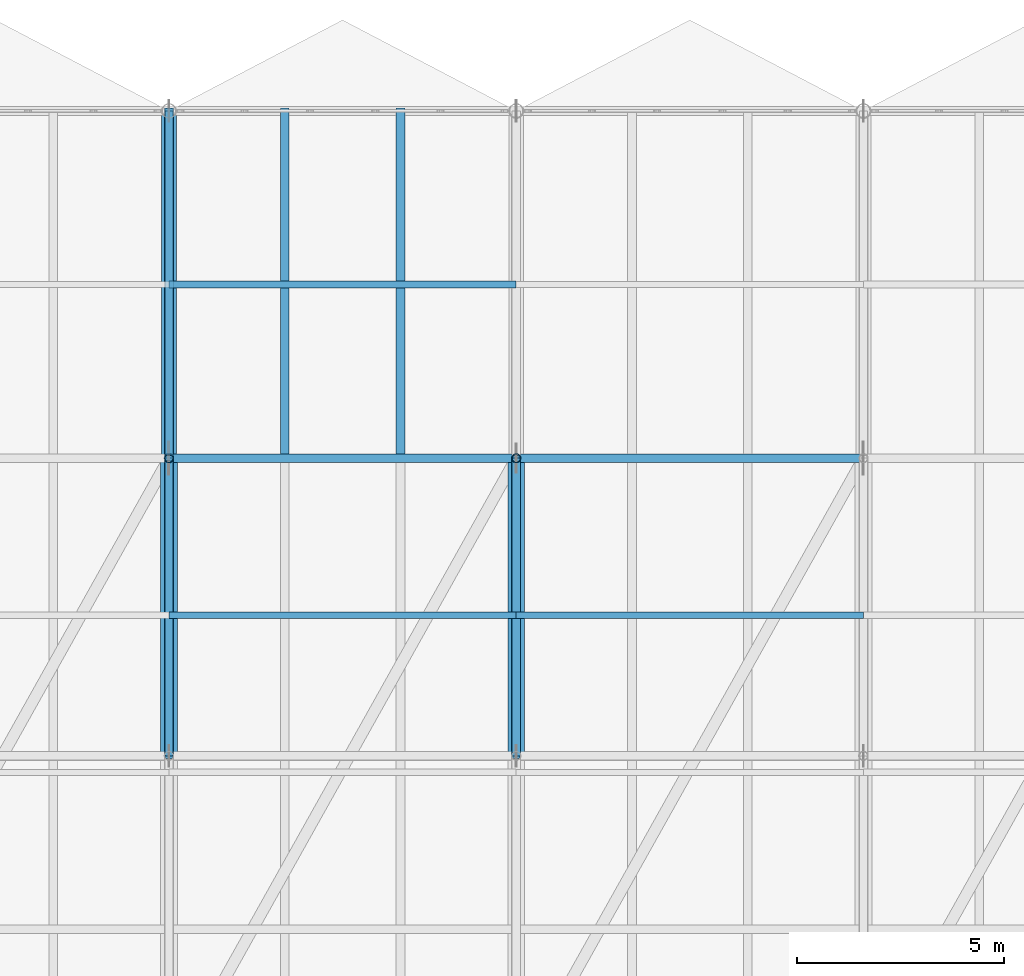
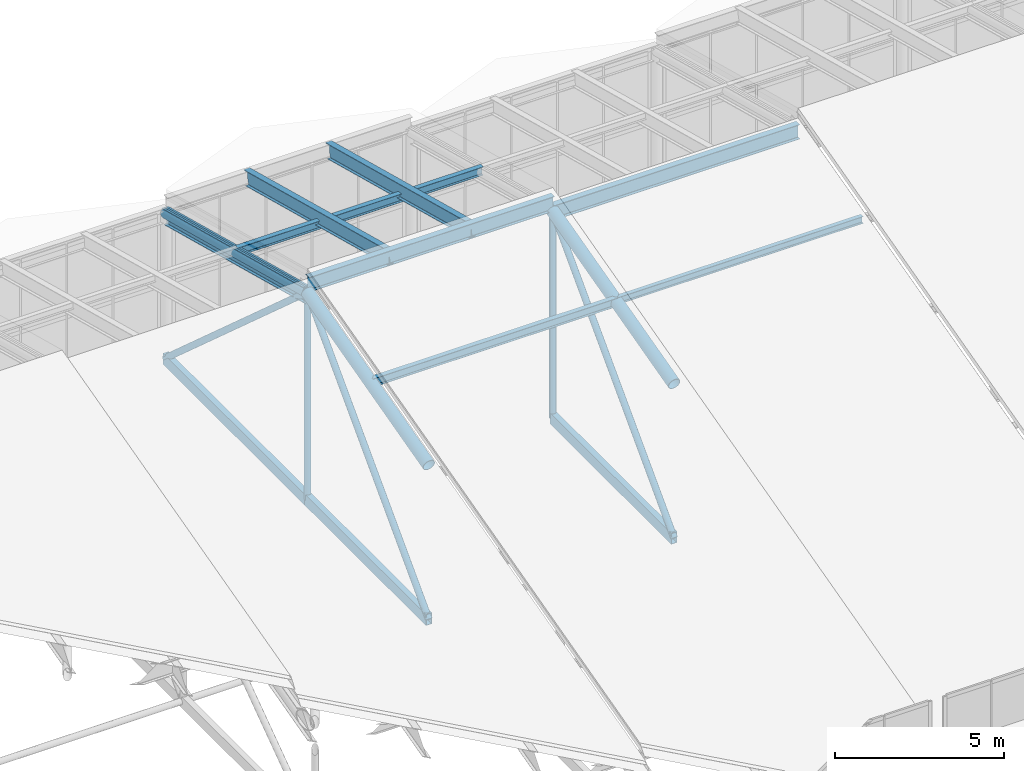
# One storey, part 16 of 43: 14 members, 5 beams.
"""IFC4 building model written with IfcOpenShell, lengths in metres."""

from ifc_helpers import new_model, si_unit, direction, frame, origin, origin_2d, place, context, subcontext, project, spatial, hollow_rectangle, hollow_circle, i_section, extrude, material, material_profile, profile_set, type_object, element, save


model = new_model("IFC4")

# Units and contexts
model_context = context("Model", 3, precision=1e-05, world=origin(), true_north=direction((0.0, 1.0)))
body_context = subcontext(model_context, "Body", "Model", "MODEL_VIEW")
ifc_project = project(units=[si_unit("LENGTHUNIT", "METRE"), si_unit("AREAUNIT", "SQUARE_METRE"), si_unit("VOLUMEUNIT", "CUBIC_METRE"), si_unit("PLANEANGLEUNIT", "RADIAN"), si_unit("MASSUNIT", "GRAM", prefix="KILO")], contexts=[model_context])

# Site, building, storey
site_placement = place(None, origin())
site = spatial("IfcSite", under=ifc_project, at=site_placement, CompositionType="ELEMENT")
building_placement = place(site_placement, origin())
building = spatial("IfcBuilding", under=site, at=building_placement, Name="Selat Folded Stagehouse", CompositionType="ELEMENT")
storey_placement = place(building_placement, frame((0.0, 0.0, 32.39990234375)))
storey = spatial("IfcBuildingStorey", under=building, at=storey_placement, Name="RF", CompositionType="ELEMENT", Elevation=32.39990234375)

# Beams
ifc_material = material(Name="Steel S355", Category="steel")
ifc_material_profile_1 = material_profile(ifc_material, i_section(OverallWidth=0.210693359375, OverallDepth=0.53955078125, WebThickness=0.01171875, FlangeThickness=0.018798828125, FilletRadius=0.0126953125, at=origin_2d()), Name="UKB 533x210x109")
ifc_profile_set_1 = profile_set([ifc_material_profile_1], Name="Steel S355")
beam_type_1 = type_object("IfcBeamType", Name="BM-GIRD-533x210x109", PredefinedType="BEAM", material=ifc_profile_set_1)
beam_1_placement = place(storey_placement, frame((25.199951171875, 46.199951171875, 7.529296875), z_axis=(0.0, 0.966800633411, -0.25553186736), x_axis=(-1.0, 0.0, 0.0)))
element("IfcBeam", 1, at=beam_1_placement, inside=storey, type_object=beam_type_1, Name="RF primary north rafter beam 3", PredefinedType="BEAM", context=body_context, shape_type="SweptSolid", body=[
    extrude(i_section(OverallWidth=0.210693359375, OverallDepth=0.53955078125, WebThickness=0.01171875, FlangeThickness=0.018798828125, FilletRadius=0.0126953125, at=origin_2d()), origin(), (0.0, 0.0, 1.0), 8.688720703125),
])
ifc_material_profile_2 = material_profile(ifc_material, i_section(OverallWidth=0.209228515625, OverallDepth=0.533203125, WebThickness=0.010009765625, FlangeThickness=0.015625, FilletRadius=0.0126953125, at=origin_2d()), Name="UKB 533x210x92")
ifc_profile_set_2 = profile_set([ifc_material_profile_2], Name="Steel S355")
beam_type_2 = type_object("IfcBeamType", Name="BM-GIRD-533x210x92", PredefinedType="BEAM", material=ifc_profile_set_2)
beam_2_placement = place(storey_placement, frame((25.199951171875, 46.199951171875, 7.943359375), z_axis=(1.0, 0.0, 0.0), x_axis=(0.0, 1.0, 0.0)))
element("IfcBeam", 2, at=beam_2_placement, inside=storey, type_object=beam_type_2, Name="RF bay 3 R roof bearer beam", PredefinedType="BEAM", context=body_context, shape_type="SweptSolid", body=[
    extrude(i_section(OverallWidth=0.209228515625, OverallDepth=0.533203125, WebThickness=0.010009765625, FlangeThickness=0.015625, FilletRadius=0.0126953125, at=origin_2d()), origin(), (0.0, 0.0, 1.0), 8.400146484375),
])
for number, where, z_axis, x_axis, name in (
    (3, (28.0, 46.199951171875, 7.943359375), (0.0, 0.966807574904, -0.255505602889), (-1.0, 0.0, 0.0), "RF bay 3 W north sub-rafter"),
    (4, (30.800048828125, 46.199951171875, 7.943359375), (0.0, 0.966807574904, -0.255505602889), (-1.0, 0.0, 0.0), "RF bay 3 E north sub-rafter"),
):
    element("IfcBeam", number, at=place(storey_placement, frame(where, z_axis=z_axis, x_axis=x_axis)), inside=storey, type_object=beam_type_2, Name=name, PredefinedType="BEAM", context=body_context, shape_type="SweptSolid", body=[
        extrude(i_section(OverallWidth=0.209228515625, OverallDepth=0.533203125, WebThickness=0.010009765625, FlangeThickness=0.015625, FilletRadius=0.0126953125, at=origin_2d()), origin(), (0.0, 0.0, 1.0), 8.6884765625),
    ])
beam_3_placement = place(storey_placement, frame((33.60009765625, 46.199951171875, 7.60888671875), z_axis=(1.0, 0.0, 0.0), x_axis=(0.0, 1.0, 0.0)))
element("IfcBeam", 5, at=beam_3_placement, inside=storey, type_object=beam_type_2, Name="RF bay 4 R roof bearer beam", PredefinedType="BEAM", context=body_context, shape_type="SweptSolid", body=[
    extrude(i_section(OverallWidth=0.209228515625, OverallDepth=0.533203125, WebThickness=0.010009765625, FlangeThickness=0.015625, FilletRadius=0.0126953125, at=origin_2d()), origin(), (0.0, 0.0, 1.0), 8.39990234375),
])

# Members
ifc_material_profile_3 = material_profile(ifc_material, hollow_circle(Radius=0.109619140625, WallThickness=0.010009765625, at=origin_2d()), Name="CHS 219.1x10.0")
ifc_profile_set_3 = profile_set([ifc_material_profile_3], Name="Steel S355")
member_type_1 = type_object("IfcMemberType", Name="MEM-BRACE-CHS219", PredefinedType="BRACE", material=ifc_profile_set_3)
member_1_placement = place(storey_placement, frame((25.199951171875, 39.0, 0.150146484375), z_axis=(0.0, 0.693597845088, 0.720362429121), x_axis=(-1.0, 0.0, 0.0)))
element("IfcMember", 6, at=member_1_placement, inside=storey, type_object=member_type_1, Name="Folded-plate web diagonal 3.3", PredefinedType="BRACE", context=body_context, shape_type="SweptSolid", body=[
    extrude(hollow_circle(Radius=0.109619140625, WallThickness=0.010009765625, at=origin_2d()), origin(), (0.0, 0.0, 1.0), 10.380615234375),
])
member_2_placement = place(storey_placement, frame((25.199951171875, 46.199951171875, 7.6279296875), z_axis=(0.0, 0.746924046978, -0.664909368294), x_axis=(-1.0, 0.0, 0.0)))
element("IfcMember", 7, at=member_2_placement, inside=storey, type_object=member_type_1, Name="Folded-plate web diagonal 3.4", PredefinedType="BRACE", context=body_context, shape_type="SweptSolid", body=[
    extrude(hollow_circle(Radius=0.109619140625, WallThickness=0.010009765625, at=origin_2d()), origin(), (0.0, 0.0, 1.0), 11.246337890625),
])
member_3_placement = place(storey_placement, frame((33.60009765625, 39.0, 0.150146484375), z_axis=(0.0, 0.693597845088, 0.720362429121), x_axis=(-1.0, 0.0, 0.0)))
element("IfcMember", 8, at=member_3_placement, inside=storey, type_object=member_type_1, Name="Folded-plate web diagonal 4.3", PredefinedType="BRACE", context=body_context, shape_type="SweptSolid", body=[
    extrude(hollow_circle(Radius=0.109619140625, WallThickness=0.010009765625, at=origin_2d()), origin(), (0.0, 0.0, 1.0), 10.380615234375),
])
ifc_material_profile_4 = material_profile(ifc_material, hollow_circle(Radius=0.177734375, WallThickness=0.01611328125, at=origin_2d()), Name="CHS 355.6x16.0")
ifc_profile_set_4 = profile_set([ifc_material_profile_4], Name="Steel S355")
member_type_2 = type_object("IfcMemberType", Name="MEM-CHORD-CHS355", PredefinedType="CHORD", material=ifc_profile_set_4)
member_4_placement = place(storey_placement, frame((25.199951171875, 46.199951171875, 7.6279296875), z_axis=(0.0, 0.966807574904, -0.255505602889), x_axis=(-1.0, 0.0, 0.0)))
element("IfcMember", 9, at=member_4_placement, inside=storey, type_object=member_type_2, Name="Folded-plate top chord 3.4", PredefinedType="CHORD", context=body_context, shape_type="SweptSolid", body=[
    extrude(hollow_circle(Radius=0.177734375, WallThickness=0.01611328125, at=origin_2d()), origin(), (0.0, 0.0, 1.0), 8.6884765625),
])
ifc_material_profile_5 = material_profile(ifc_material, hollow_circle(Radius=0.203125, WallThickness=0.01611328125, at=origin_2d()), Name="CHS 406.4x16.0")
ifc_profile_set_5 = profile_set([ifc_material_profile_5], Name="Steel S355")
member_type_3 = type_object("IfcMemberType", Name="MEM-CHORD-CHS406", PredefinedType="CHORD", material=ifc_profile_set_5)
for number, where, z_axis, x_axis, name in (
    (10, (25.199951171875, 39.0, 5.72607421875), (0.0, 0.966838433119, 0.255388809942), (-1.0, 0.0, 0.0), "Folded-plate top chord 3.3"),
    (11, (33.60009765625, 39.0, 5.72607421875), (0.0, 0.966838433119, 0.255388809942), (-1.0, 0.0, 0.0), "Folded-plate top chord 4.3"),
):
    element("IfcMember", number, at=place(storey_placement, frame(where, z_axis=z_axis, x_axis=x_axis)), inside=storey, type_object=member_type_3, Name=name, PredefinedType="CHORD", context=body_context, shape_type="SweptSolid", body=[
        extrude(hollow_circle(Radius=0.203125, WallThickness=0.01611328125, at=origin_2d()), origin(), (0.0, 0.0, 1.0), 7.447021484375),
    ])
ifc_material_profile_6 = material_profile(ifc_material, hollow_rectangle(XDim=0.199951171875, YDim=0.39990234375, WallThickness=0.012451171875, at=origin_2d()), Name="RHS 400x200x12.5")
ifc_profile_set_6 = profile_set([ifc_material_profile_6], Name="Steel S355")
member_type_4 = type_object("IfcMemberType", Name="MEM-CHORD-RHS400", PredefinedType="CHORD", material=ifc_profile_set_6)
member_5_placement = place(storey_placement, frame((25.199951171875, 39.0, 0.150146484375), z_axis=(0.0, 1.0, 0.0), x_axis=(-1.0, 0.0, 0.0)))
element("IfcMember", 12, at=member_5_placement, inside=storey, type_object=member_type_4, Name="Folded-plate bottom tie 3.3", PredefinedType="CHORD", context=body_context, shape_type="SweptSolid", body=[
    extrude(hollow_rectangle(XDim=0.199951171875, YDim=0.39990234375, WallThickness=0.012451171875, at=origin_2d()), origin(), (0.0, 0.0, 1.0), 7.199951171875),
])
member_6_placement = place(storey_placement, frame((25.199951171875, 46.199951171875, 0.150146484375), z_axis=(0.0, 1.0, 0.0), x_axis=(-1.0, 0.0, 0.0)))
element("IfcMember", 13, at=member_6_placement, inside=storey, type_object=member_type_4, Name="Folded-plate bottom tie 3.4", PredefinedType="CHORD", context=body_context, shape_type="SweptSolid", body=[
    extrude(hollow_rectangle(XDim=0.199951171875, YDim=0.39990234375, WallThickness=0.012451171875, at=origin_2d()), origin(), (0.0, 0.0, 1.0), 8.400146484375),
])
member_7_placement = place(storey_placement, frame((33.60009765625, 39.0, 0.150146484375), z_axis=(0.0, 1.0, 0.0), x_axis=(-1.0, 0.0, 0.0)))
element("IfcMember", 14, at=member_7_placement, inside=storey, type_object=member_type_4, Name="Folded-plate bottom tie 4.3", PredefinedType="CHORD", context=body_context, shape_type="SweptSolid", body=[
    extrude(hollow_rectangle(XDim=0.199951171875, YDim=0.39990234375, WallThickness=0.012451171875, at=origin_2d()), origin(), (0.0, 0.0, 1.0), 7.199951171875),
])
ifc_material_profile_7 = material_profile(ifc_material, hollow_circle(Radius=0.109619140625, WallThickness=0.010009765625, at=origin_2d()), Name="CHS 219.1x10.0")
ifc_profile_set_7 = profile_set([ifc_material_profile_7], Name="Steel S355")
member_type_5 = type_object("IfcMemberType", Name="MEM-POST-CHS219", PredefinedType="POST", material=ifc_profile_set_7)
for number, where, z_axis, x_axis, name in (
    (15, (25.199951171875, 46.199951171875, 0.150146484375), (0.0, 0.0, 1.0), (1.0, 0.0, 0.0), "Folded-plate truss post 3.3"),
    (16, (33.60009765625, 46.199951171875, 0.150146484375), (0.0, 0.0, 1.0), (1.0, 0.0, 0.0), "Folded-plate truss post 4.3"),
):
    element("IfcMember", number, at=place(storey_placement, frame(where, z_axis=z_axis, x_axis=x_axis)), inside=storey, type_object=member_type_5, Name=name, PredefinedType="POST", context=body_context, shape_type="SweptSolid", body=[
        extrude(hollow_circle(Radius=0.109619140625, WallThickness=0.010009765625, at=origin_2d()), origin(), (0.0, 0.0, 1.0), 7.477783203125),
    ])
ifc_material_profile_8 = material_profile(ifc_material, i_section(OverallWidth=0.14599609375, OverallDepth=0.25146484375, WebThickness=0.006103515625, FlangeThickness=0.008544921875, FilletRadius=0.007568359375, at=origin_2d()), Name="UKB 254x146x31")
ifc_profile_set_8 = profile_set([ifc_material_profile_8], Name="Steel S355")
member_type_6 = type_object("IfcMemberType", Name="MEM-PURLIN-UKB254", PredefinedType="PURLIN", material=ifc_profile_set_8)
member_8_placement = place(storey_placement, frame((33.60009765625, 42.39990234375, 6.704345703125), z_axis=(1.0, 0.0, 0.0), x_axis=(0.0, 1.0, 0.0)))
element("IfcMember", 17, at=member_8_placement, inside=storey, type_object=member_type_6, Name="Folded-plate roof purlin bay 4.4", PredefinedType="PURLIN", context=body_context, shape_type="SweptSolid", body=[
    extrude(i_section(OverallWidth=0.14599609375, OverallDepth=0.25146484375, WebThickness=0.006103515625, FlangeThickness=0.008544921875, FilletRadius=0.007568359375, at=origin_2d()), origin(), (0.0, 0.0, 1.0), 8.39990234375),
])
ifc_material_profile_9 = material_profile(ifc_material, i_section(OverallWidth=0.1650390625, OverallDepth=0.303466796875, WebThickness=0.006103515625, FlangeThickness=0.01025390625, FilletRadius=0.0087890625, at=origin_2d()), Name="UKB 305x165x40")
ifc_profile_set_9 = profile_set([ifc_material_profile_9], Name="Steel S355")
member_type_7 = type_object("IfcMemberType", Name="MEM-PURLIN-UKB305", PredefinedType="PURLIN", material=ifc_profile_set_9)
for number, where, z_axis, x_axis, name in (
    (18, (25.199951171875, 42.39990234375, 6.677490234375), (1.0, 0.0, 0.0), (0.0, 1.0, 0.0), "Folded-plate roof purlin bay 3.4"),
    (19, (25.199951171875, 50.39990234375, 6.5712890625), (1.0, 0.0, 0.0), (0.0, 1.0, 0.0), "Folded-plate roof purlin bay 3.5"),
):
    element("IfcMember", number, at=place(storey_placement, frame(where, z_axis=z_axis, x_axis=x_axis)), inside=storey, type_object=member_type_7, Name=name, PredefinedType="PURLIN", context=body_context, shape_type="SweptSolid", body=[
        extrude(i_section(OverallWidth=0.1650390625, OverallDepth=0.303466796875, WebThickness=0.006103515625, FlangeThickness=0.01025390625, FilletRadius=0.0087890625, at=origin_2d()), origin(), (0.0, 0.0, 1.0), 8.400146484375),
    ])

save(model, "model.ifc")
